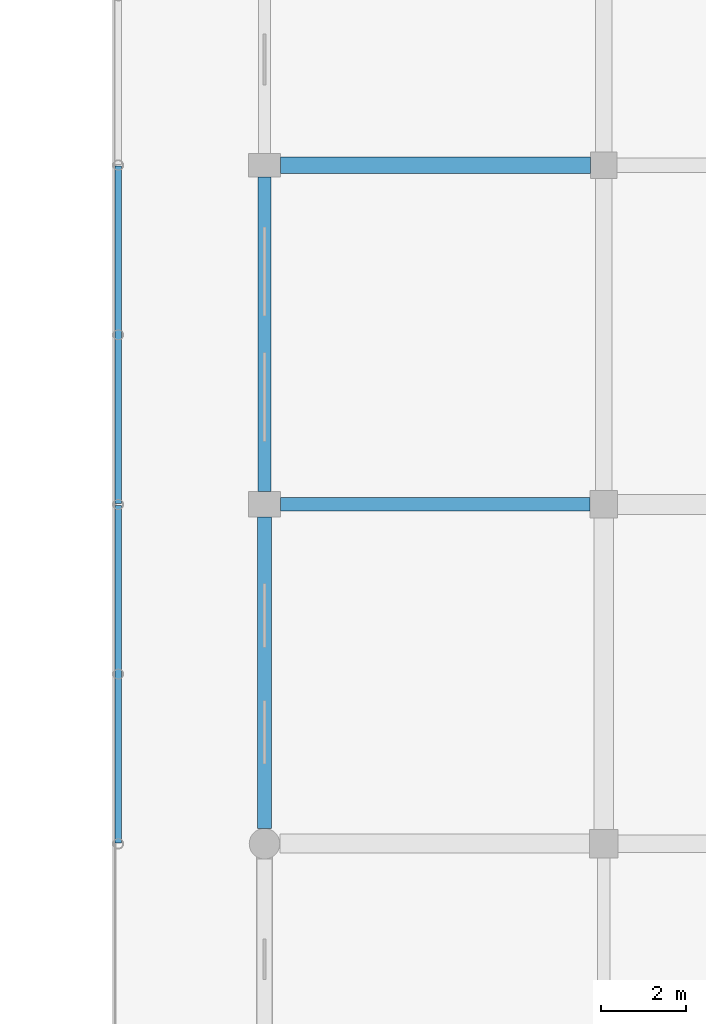
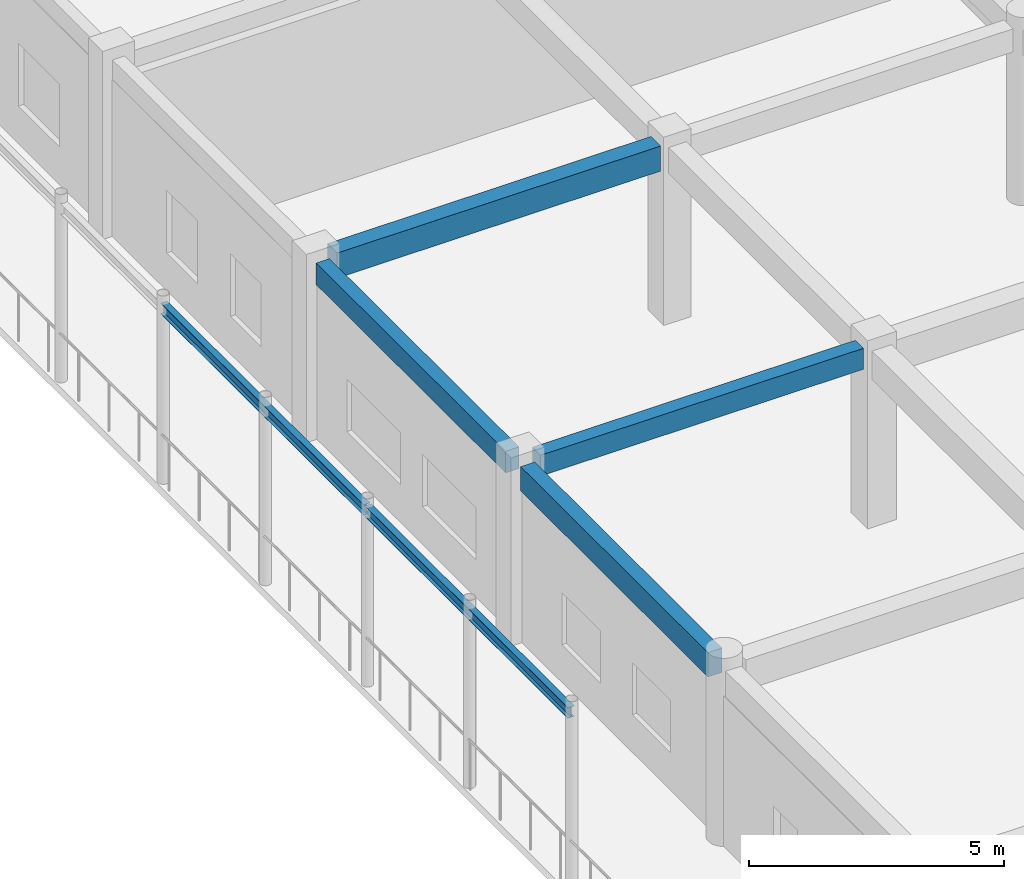
# One storey, part 91 of 160: 6 beams.
"""IFC4 building model written with IfcOpenShell, lengths in metres."""

from ifc_helpers import new_model, si_unit, direction, frame, origin, origin_2d, place, context, subcontext, project, spatial, rectangle, i_section, extrude, material, material_profile, profile_set, type_object, element, save


model = new_model("IFC4")

# Units and contexts
model_context = context("Model", 3, precision=1e-05, world=origin(), true_north=direction((0.0, 1.0)))
body_context = subcontext(model_context, "Body", "Model", "MODEL_VIEW")
ifc_project = project(units=[si_unit("LENGTHUNIT", "METRE"), si_unit("AREAUNIT", "SQUARE_METRE"), si_unit("VOLUMEUNIT", "CUBIC_METRE"), si_unit("PLANEANGLEUNIT", "RADIAN"), si_unit("MASSUNIT", "GRAM", prefix="KILO")], contexts=[model_context])

# Site, building, storey
site_placement = place(None, origin())
site = spatial("IfcSite", under=ifc_project, at=site_placement, CompositionType="ELEMENT")
building_placement = place(site_placement, origin())
building = spatial("IfcBuilding", under=site, at=building_placement, Name="Kharva Crest Polytechnic", CompositionType="ELEMENT")
storey_placement = place(building_placement, frame((0.0, 0.0, 4.5)))
storey = spatial("IfcBuildingStorey", under=building, at=storey_placement, Name="L01", CompositionType="ELEMENT", Elevation=4.5)

# Beams
ifc_material_1 = material(Name="Concrete C35/45", Category="concrete")
ifc_material_profile_1 = material_profile(ifc_material_1, rectangle(XDim=0.320068359375, YDim=0.5, at=origin_2d()), Name="RECT 320 X 500")
ifc_profile_set_1 = profile_set([ifc_material_profile_1], Name="Concrete C35/45")
beam_type_1 = type_object("IfcBeamType", Name="BM-RC-320X500", PredefinedType="BEAM", material=ifc_profile_set_1)
beam_1_placement = place(storey_placement, frame((153.175048828125, 54.800048828125, 3.969970703125), z_axis=(1.0, 0.0, 0.0), x_axis=(0.0, 1.0, 0.0)))
element("IfcBeam", 1, at=beam_1_placement, inside=storey, type_object=beam_type_1, Name="L01 Beam H/20-21", PredefinedType="BEAM", context=body_context, shape_type="SweptSolid", body=[
    extrude(rectangle(XDim=0.320068359375, YDim=0.5, at=origin_2d()), origin(), (0.0, 0.0, 1.0), 7.300048828125),
])
ifc_material_profile_2 = material_profile(ifc_material_1, rectangle(XDim=0.3798828125, YDim=0.60009765625, at=origin_2d()), Name="RECT 380 X 600")
ifc_profile_set_2 = profile_set([ifc_material_profile_2], Name="Concrete C35/45")
beam_type_2 = type_object("IfcBeamType", Name="BM-RC-380X600", PredefinedType="BEAM", material=ifc_profile_set_2)
beam_2_placement = place(storey_placement, frame((153.175048828125, 62.800048828125, 3.919921875), z_axis=(1.0, 0.0, 0.0), x_axis=(0.0, 1.0, 0.0)))
element("IfcBeam", 2, at=beam_2_placement, inside=storey, type_object=beam_type_2, Name="L01 Beam J/20-21", PredefinedType="BEAM", context=body_context, shape_type="SweptSolid", body=[
    extrude(rectangle(XDim=0.3798828125, YDim=0.60009765625, at=origin_2d()), origin(), (0.0, 0.0, 1.0), 7.31494140625),
])
ifc_material_2 = material(Name="Steel S355", Category="steel")
ifc_material_profile_3 = material_profile(ifc_material_2, i_section(OverallWidth=0.14599609375, OverallDepth=0.258056640625, WebThickness=0.006103515625, FlangeThickness=0.009033203125, at=origin_2d()), Name="W250X32.7")
ifc_profile_set_3 = profile_set([ifc_material_profile_3], Name="Steel S355")
beam_type_3 = type_object("IfcBeamType", Name="BM-STL-W250X32", PredefinedType="BEAM", material=ifc_profile_set_3)
for number, where, z_axis, x_axis, name in (
    (3, (149.35009765625, 46.820068359375, 4.160888671875), (0.0, 1.0, 0.0), (-1.0, 0.0, 0.0), "L01 East Veranda Beam 1"),
    (4, (149.35009765625, 54.820068359375, 4.160888671875), (0.0, 1.0, 0.0), (-1.0, 0.0, 0.0), "L01 East Veranda Beam 2"),
):
    element("IfcBeam", number, at=place(storey_placement, frame(where, z_axis=z_axis, x_axis=x_axis)), inside=storey, type_object=beam_type_3, Name=name, PredefinedType="BEAM", context=body_context, shape_type="SweptSolid", body=[
        extrude(i_section(OverallWidth=0.14599609375, OverallDepth=0.258056640625, WebThickness=0.006103515625, FlangeThickness=0.009033203125, at=origin_2d()), origin(), (0.0, 0.0, 1.0), 7.9599609375),
    ])
ifc_material_profile_4 = material_profile(ifc_material_1, rectangle(XDim=0.300048828125, YDim=0.52001953125, at=origin_2d()), Name="RECT 300 X 520")
ifc_profile_set_4 = profile_set([ifc_material_profile_4], Name="Concrete C35/45")
beam_type_4 = type_object("IfcBeamType", Name="SP-RC-300X520", PredefinedType="SPANDREL", material=ifc_profile_set_4)
beam_3_placement = place(storey_placement, frame((152.800048828125, 55.10009765625, 3.9599609375), z_axis=(0.0, 1.0, 0.0), x_axis=(-1.0, 0.0, 0.0)))
element("IfcBeam", 5, at=beam_3_placement, inside=storey, type_object=beam_type_4, Name="L01 Girder 20/H-J", PredefinedType="SPANDREL", context=body_context, shape_type="SweptSolid", body=[
    extrude(rectangle(XDim=0.300048828125, YDim=0.52001953125, at=origin_2d()), origin(), (0.0, 0.0, 1.0), 7.4248046875),
])
ifc_material_profile_5 = material_profile(ifc_material_1, rectangle(XDim=0.320068359375, YDim=0.580078125, at=origin_2d()), Name="RECT 320 X 580")
ifc_profile_set_5 = profile_set([ifc_material_profile_5], Name="Concrete C35/45")
beam_type_5 = type_object("IfcBeamType", Name="SP-RC-320X580", PredefinedType="SPANDREL", material=ifc_profile_set_5)
beam_4_placement = place(storey_placement, frame((152.800048828125, 47.159912109375, 3.929931640625), z_axis=(0.0, 1.0, 0.0), x_axis=(-1.0, 0.0, 0.0)))
element("IfcBeam", 6, at=beam_4_placement, inside=storey, type_object=beam_type_5, Name="L01 Girder 20/G-H", PredefinedType="SPANDREL", context=body_context, shape_type="SweptSolid", body=[
    extrude(rectangle(XDim=0.320068359375, YDim=0.580078125, at=origin_2d()), origin(), (0.0, 0.0, 1.0), 7.340087890625),
])

save(model, "model.ifc")
